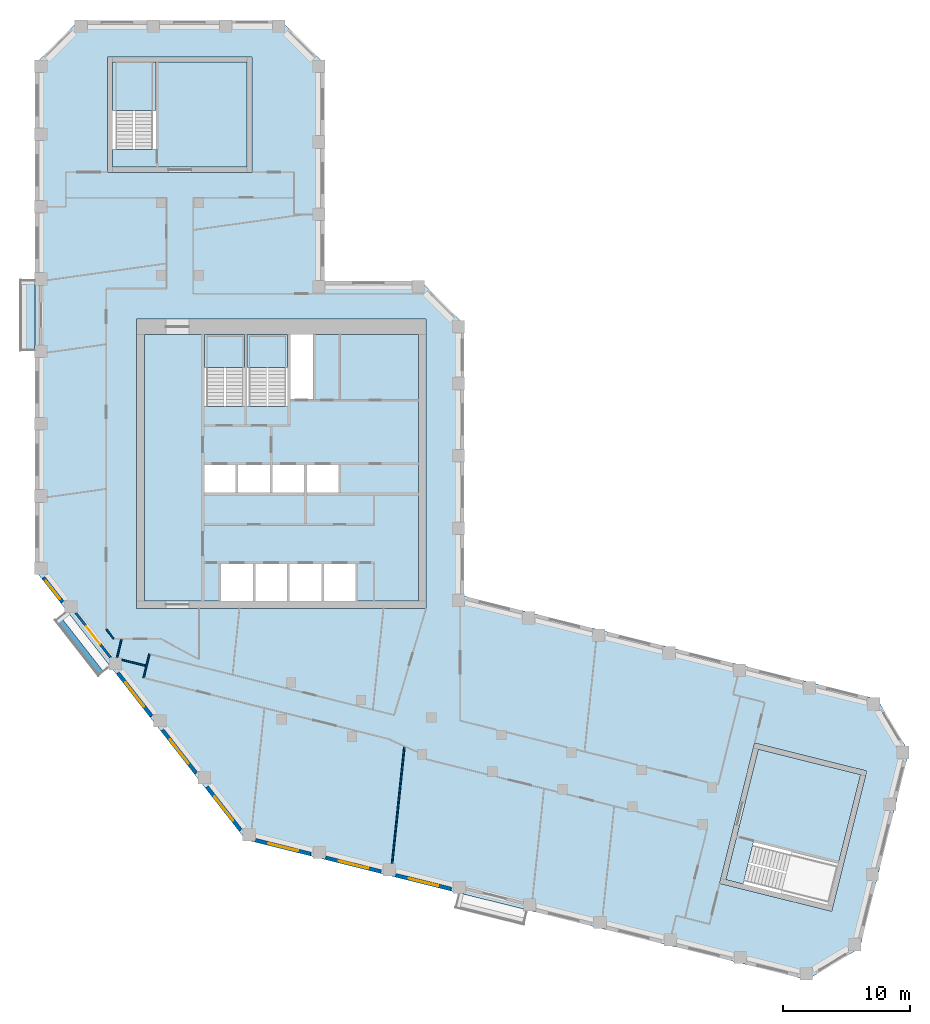
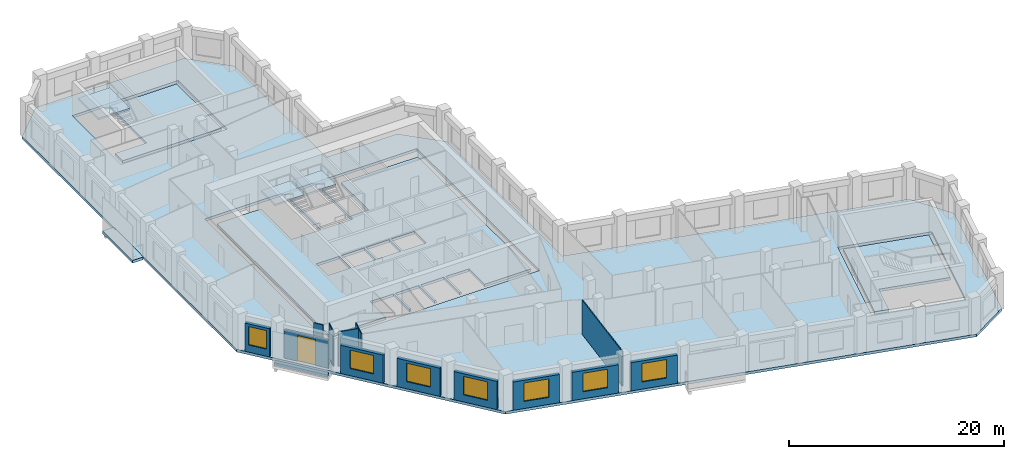
# One storey, part 2 of 9: 14 walls, 8 slabs, 7 windows, 1 door, 8 openings, 3 elements without a shape of their own.
"""IFC4 building model written with IfcOpenShell, lengths in metres."""

from ifc_helpers import new_model, si_unit, direction, frame, frame_2d, origin, place, context, subcontext, project, spatial, polyline, rectangle, outline, extrude, material, layer, layer_set, type_object, element, fill, aggregate, save


model = new_model("IFC4")

# Units and contexts
model_context = context("Model", 3, precision=1e-05, world=origin(), true_north=direction((0.0, 1.0)))
body_context = subcontext(model_context, "Body", "Model", "MODEL_VIEW")
ifc_project = project(units=[si_unit("LENGTHUNIT", "METRE"), si_unit("AREAUNIT", "SQUARE_METRE"), si_unit("VOLUMEUNIT", "CUBIC_METRE"), si_unit("PLANEANGLEUNIT", "RADIAN"), si_unit("MASSUNIT", "GRAM", prefix="KILO")], contexts=[model_context])

# Site, building, storey
site_placement = place(None, origin())
site = spatial("IfcSite", under=ifc_project, at=site_placement, CompositionType="ELEMENT")
building_placement = place(site_placement, origin())
building = spatial("IfcBuilding", under=site, at=building_placement, Name="Meshkara Civic Tower", CompositionType="ELEMENT")
storey_placement = place(building_placement, frame((0.0, 0.0, 315.0)))
storey = spatial("IfcBuildingStorey", under=building, at=storey_placement, Name="L72", CompositionType="ELEMENT", Elevation=315.0)

# Slabs
ifc_material_1 = material(Name="Concrete C40", Category="concrete")
ifc_layer_1 = layer(ifc_material_1, 0.300048828125)
ifc_layer_set_1 = layer_set([ifc_layer_1], Name="BALCONY SLAB")
slab_type_1 = type_object("IfcSlabType", Name="BALCONY SLAB", PredefinedType="FLOOR", material=ifc_layer_set_1)
slab_1_placement = place(storey_placement, frame((0.0, 0.0, -0.300048828125)))
element("IfcSlab", 1, at=slab_1_placement, inside=storey, type_object=slab_type_1, Name="Balcony slab", PredefinedType="FLOOR", context=body_context, shape_type="SweptSolid", body=[
    extrude(outline(polyline([(-1.199951171875, 34.4150390625), (-1.199951171875, 39.9951171875), (-0.050048828125, 39.9951171875), (-0.050048828125, 39.554931640625), (0.0, 39.554931640625), (0.0, 34.85498046875), (-0.050048828125, 34.85498046875), (-0.050048828125, 34.4150390625), (-1.199951171875, 34.4150390625)])), origin(), (0.0, 0.0, 1.0), 0.300048828125),
])
ifc_material_2 = material(Name="Concrete C40/50", Category="concrete")
ifc_layer_2 = layer(ifc_material_2, 0.300048828125)
ifc_layer_set_2 = layer_set([ifc_layer_2], Name="Core floor slab 300 C40/50")
slab_type_2 = type_object("IfcSlabType", Name="Core floor slab 300 C40/50", PredefinedType="FLOOR", material=ifc_layer_set_2)
slab_2_placement = place(storey_placement, frame((0.0, 0.0, -0.300048828125)))
element("IfcSlab", 2, at=slab_2_placement, inside=storey, type_object=slab_type_2, Name="Core floor K", PredefinedType="FLOOR", context=body_context, shape_type="SweptSolid", body=[
    extrude(outline(polyline([(8.60009765625, 35.699951171875), (13.35009765625, 35.699951171875), (13.35009765625, 30.00146484375), (16.5, 30.00146484375), (16.5, 35.699951171875), (16.699951171875, 35.699951171875), (16.699951171875, 30.00146484375), (19.89990234375, 30.00146484375), (19.89990234375, 35.699951171875), (20.10009765625, 35.699951171875), (20.10009765625, 30.574951171875), (21.925048828125, 30.574951171875), (21.925048828125, 35.699951171875), (30.199951171875, 35.699951171875), (30.199951171875, 14.699951171875), (25.25, 14.699951171875), (25.25, 17.60009765625), (22.75, 17.60009765625), (22.75, 14.699951171875), (22.550048828125, 14.699951171875), (22.550048828125, 17.60009765625), (20.050048828125, 17.60009765625), (20.050048828125, 14.699951171875), (19.85009765625, 14.699951171875), (19.85009765625, 17.60009765625), (17.35009765625, 17.60009765625), (17.35009765625, 14.699951171875), (17.14990234375, 14.699951171875), (17.14990234375, 17.60009765625), (14.64990234375, 17.60009765625), (14.64990234375, 14.699951171875), (8.60009765625, 14.699951171875), (8.60009765625, 35.699951171875)]), holes=[polyline([(13.35009765625, 23.25), (15.800048828125, 23.25), (15.800048828125, 25.39990234375), (13.35009765625, 25.39990234375), (13.35009765625, 23.25)]), polyline([(18.5, 23.25), (18.5, 25.39990234375), (16.0, 25.39990234375), (16.0, 23.25), (18.5, 23.25)]), polyline([(18.699951171875, 23.25), (21.199951171875, 23.25), (21.199951171875, 25.39990234375), (18.699951171875, 25.39990234375), (18.699951171875, 23.25)]), polyline([(21.39990234375, 23.25), (23.89990234375, 23.25), (23.89990234375, 25.39990234375), (21.39990234375, 25.39990234375), (21.39990234375, 23.25)])]), origin(), (0.0, 0.0, 1.0), 0.300048828125),
])
slab_3_placement = place(storey_placement, frame((0.0, 0.0, -0.300048828125)))
element("IfcSlab", 3, at=slab_3_placement, inside=storey, type_object=slab_type_2, Name="Core floor EA", PredefinedType="FLOOR", context=body_context, shape_type="SweptSolid", body=[
    extrude(outline(polyline([(16.699951171875, 48.8701171875), (16.699951171875, 57.169921875), (9.5, 57.169921875), (9.5, 50.271484375), (6.10009765625, 50.271484375), (6.10009765625, 48.8701171875), (16.699951171875, 48.8701171875)])), origin(), (0.0, 0.0, 1.0), 0.300048828125),
])
slab_4_placement = place(storey_placement, frame((0.0, 0.0, -0.300048828125)))
element("IfcSlab", 4, at=slab_4_placement, inside=storey, type_object=slab_type_2, Name="Core floor EB", PredefinedType="FLOOR", context=body_context, shape_type="SweptSolid", body=[
    extrude(outline(polyline([(56.989013671875, 3.002197265625), (65.04248046875, 0.994384765625), (63.30078125, -5.99169921875), (56.607177734375, -4.322998046875), (55.78466796875, -7.621826171875), (54.4248046875, -7.282958984375), (56.989013671875, 3.002197265625)])), origin(), (0.0, 0.0, 1.0), 0.300048828125),
])

# Stair, slab
ifc_material_3 = material(Name="Precast concrete C40/50", Category="concrete")
stair_type = type_object("IfcStairType", Name="Exit stair half-turn 24 risers precast", PredefinedType="HALF_TURN_STAIR", material=ifc_material_3)
stair_1_placement = place(storey_placement, origin())
stair_1 = element("IfcStair", 5, at=stair_1_placement, inside=storey, type_object=stair_type, Name="L72 exit stair 1", PredefinedType="HALF_TURN_STAIR")
ifc_material_4 = material(Name="Precast concrete C40/50", Category="concrete")
ifc_layer_3 = layer(ifc_material_4, 0.199951171875)
ifc_layer_set_3 = layer_set([ifc_layer_3], Name="Exit stair landing 200")
slab_type_3 = type_object("IfcSlabType", Name="Exit stair landing 200", PredefinedType="LANDING", material=ifc_layer_set_3)
slab_5_placement = place(storey_placement, frame((0.0, 0.0, 1.89990234375)))
slab_5 = element("IfcSlab", 6, at=slab_5_placement, type_object=slab_type_3, Name="ST1 landing 1", PredefinedType="LANDING", context=body_context, shape_type="SweptSolid", body=[
    extrude(outline(polyline([(16.5, 33.07861328125), (16.5, 35.699951171875), (13.35009765625, 35.699951171875), (13.35009765625, 33.07861328125), (16.5, 33.07861328125)])), origin(), (0.0, 0.0, 1.0), 0.2001953125),
])
aggregate(stair_1, [slab_5])

stair_2_placement = place(storey_placement, origin())
stair_2 = element("IfcStair", 7, at=stair_2_placement, inside=storey, type_object=stair_type, Name="L72 exit stair 2", PredefinedType="HALF_TURN_STAIR")
slab_6_placement = place(storey_placement, frame((0.0, 0.0, 1.89990234375)))
slab_6 = element("IfcSlab", 8, at=slab_6_placement, type_object=slab_type_3, Name="ST2 landing 1", PredefinedType="LANDING", context=body_context, shape_type="SweptSolid", body=[
    extrude(outline(polyline([(19.89990234375, 33.07861328125), (19.89990234375, 35.699951171875), (16.699951171875, 35.699951171875), (16.699951171875, 33.07861328125), (19.89990234375, 33.07861328125)])), origin(), (0.0, 0.0, 1.0), 0.2001953125),
])
aggregate(stair_2, [slab_6])

stair_3_placement = place(storey_placement, origin())
stair_3 = element("IfcStair", 9, at=stair_3_placement, inside=storey, type_object=stair_type, Name="L72 exit stair A from L65", PredefinedType="HALF_TURN_STAIR")
slab_7_placement = place(storey_placement, frame((0.0, 0.0, 1.89990234375)))
slab_7 = element("IfcSlab", 10, at=slab_7_placement, type_object=slab_type_3, Name="ESA5 landing 1", PredefinedType="LANDING", context=body_context, shape_type="SweptSolid", body=[
    extrude(outline(polyline([(9.5, 53.348388671875), (9.5, 57.169921875), (6.10009765625, 57.169921875), (6.10009765625, 53.348388671875), (9.5, 53.348388671875)])), origin(), (0.0, 0.0, 1.0), 0.2001953125),
])
aggregate(stair_3, [slab_7])

# Slab
ifc_material_5 = material(Name="Concrete C50", Category="concrete")
ifc_layer_4 = layer(ifc_material_5, 0.300048828125)
ifc_layer_set_4 = layer_set([ifc_layer_4], Name="Post-tensioned flat slab 300 C50")
slab_type_4 = type_object("IfcSlabType", Name="Post-tensioned flat slab 300 C50", PredefinedType="FLOOR", material=ifc_layer_set_4)
slab_8_placement = place(storey_placement, frame((0.0, 0.0, -0.300048828125)))
element("IfcSlab", 11, at=slab_8_placement, inside=storey, type_object=slab_type_4, Name="Post-tensioned flat slab L72", PredefinedType="FLOOR", context=body_context, shape_type="SweptSolid", body=[
    extrude(outline(polyline([(64.98291015625, -12.677001953125), (60.837890625, -15.1689453125), (16.592041015625, -4.136962890625), (0.0, 17.10009765625), (0.0, 57.0), (3.419921875, 60.419921875), (19.3798828125, 60.419921875), (22.800048828125, 57.0), (22.800048828125, 39.89990234375), (30.3798828125, 39.89990234375), (33.800048828125, 36.47998046875), (33.800048828125, 15.071044921875), (66.35302734375, 6.9541015625), (68.843994140625, 2.80810546875), (64.98291015625, -12.677001953125)]), holes=[polyline([(62.77001953125, -9.77587890625), (65.527099609375, 1.285888671875), (56.697998046875, 3.487060546875), (53.93994140625, -7.573974609375), (62.77001953125, -9.77587890625)]), polyline([(8.0, 14.10009765625), (30.800048828125, 14.10009765625), (30.800048828125, 36.89990234375), (8.0, 36.89990234375), (8.0, 14.10009765625)]), polyline([(5.699951171875, 57.570068359375), (5.699951171875, 48.469970703125), (17.10009765625, 48.469970703125), (17.10009765625, 57.570068359375), (5.699951171875, 57.570068359375)])]), origin(), (0.0, 0.0, 1.0), 0.300048828125),
])

# Walls
ifc_material_6 = material(Name="Corridor wall 100")
ifc_layer_5 = layer(ifc_material_6, 0.10009765625)
ifc_layer_set_5 = layer_set([ifc_layer_5], Name="Corridor wall 100")
wall_type_1 = type_object("IfcWallType", Name="Corridor wall 100", PredefinedType="PARTITIONING", material=ifc_layer_set_5)
wall_1_placement = place(storey_placement, frame((5.60009765625, 12.449951171875, 0.0), z_axis=(0.0, 0.0, 1.0), x_axis=(0.615644041972, -0.788024373725, 0.0)))
element("IfcWall", 12, at=wall_1_placement, inside=storey, type_object=wall_type_1, Name="L72-W004", PredefinedType="PARTITIONING", context=body_context, shape_type="SweptSolid", body=[
    extrude(rectangle(XDim=0.95166015625, YDim=0.10009765625, at=frame_2d((0.475830078125, 0.0))), origin(), (0.0, 0.0, 1.0), 3.89990234375),
])
wall_2_placement = place(storey_placement, frame((9.001953125, 10.4990234375, 0.0), z_axis=(0.0, 0.0, 1.0), x_axis=(-0.241940418317, -0.970291107856, 0.0)))
element("IfcWall", 13, at=wall_2_placement, inside=storey, type_object=wall_type_1, Name="L72-W009", PredefinedType="PARTITIONING", context=body_context, shape_type="SweptSolid", body=[
    extrude(rectangle(XDim=1.930419921875, YDim=0.10009765625, at=frame_2d((0.96533203125, 0.0))), origin(), (0.0, 0.0, 1.0), 3.89990234375),
])

# Wall, opening, window
ifc_material_7 = material(Name="Insulated infill panel with bronze anodised aluminium cladding", Category="aluminium")
ifc_layer_6 = layer(ifc_material_7, 0.300048828125)
ifc_layer_set_6 = layer_set([ifc_layer_6], Name="EXTERNAL INFILL WALL 300")
wall_type_2 = type_object("IfcWallType", Name="EXTERNAL INFILL WALL 300", PredefinedType="SOLIDWALL", material=ifc_layer_set_6)
wall_3_placement = place(storey_placement, frame((0.64599609375, 16.51708984375, 0.0), z_axis=(0.0, 0.0, 1.0), x_axis=(0.615610986717, -0.788050197026, 0.0)))
wall_3 = element("IfcWall", 14, at=wall_3_placement, inside=storey, type_object=wall_type_2, Name="External wall", PredefinedType="SOLIDWALL", context=body_context, shape_type="SweptSolid", body=[
    extrude(rectangle(XDim=2.4365234375, YDim=0.300048828125, at=frame_2d((1.21826171875, 0.0))), origin(), (0.0, 0.0, 1.0), 3.199951171875),
])
opening_1_placement = place(wall_3_placement, frame((0.318115234375, 0.0, 0.800048828125)))
opening_1 = element("IfcOpeningElement", 15, at=opening_1_placement, cuts=wall_3, Name="Opening W9", PredefinedType="OPENING", context=body_context, shape_type="SweptSolid", body=[
    extrude(rectangle(XDim=1.800048828125, YDim=2.10009765625, at=frame_2d((0.89990234375, 1.050048828125))), frame((0.0, 0.159912109375, 0.0), z_axis=(0.0, -1.0, 0.0), x_axis=(1.0, 0.0, 0.0)), (0.0, 0.0, 1.0), 0.320068359375),
])
ifc_material_8 = material(Name="Tinted double glazing", Category="glass")
window_type_1 = type_object("IfcWindowType", Name="WINDOW 1800x2100", PartitioningType="DOUBLE_PANEL_VERTICAL", PredefinedType="WINDOW", material=ifc_material_8)
window_1_placement = place(opening_1_placement, origin())
window_1 = element("IfcWindow", 16, at=window_1_placement, inside=storey, type_object=window_type_1, Name="Window", OverallHeight=2.10009765625, OverallWidth=1.800048828125, PartitioningType="DOUBLE_PANEL_VERTICAL", PredefinedType="WINDOW", context=body_context, shape_type="SweptSolid", body=[
    extrude(rectangle(XDim=1.800048828125, YDim=2.10009765625, at=frame_2d((0.89990234375, 1.050048828125))), frame((0.0, 0.030029296875, 0.0), z_axis=(0.0, -1.0, 0.0), x_axis=(1.0, 0.0, 0.0)), (0.0, 0.0, 1.0), 0.06005859375),
])
fill(opening_1, window_1)

wall_4_placement = place(storey_placement, frame((6.51904296875, 9.0, 0.0), z_axis=(0.0, 0.0, 1.0), x_axis=(0.615634121154, -0.788032124263, 0.0)))
wall_4 = element("IfcWall", 17, at=wall_4_placement, inside=storey, type_object=wall_type_2, Name="External wall", PredefinedType="SOLIDWALL", context=body_context, shape_type="SweptSolid", body=[
    extrude(rectangle(XDim=4.298095703125, YDim=0.300048828125, at=frame_2d((2.14892578125, 0.0))), origin(), (0.0, 0.0, 1.0), 3.199951171875),
])
opening_2_placement = place(wall_4_placement, frame((0.948974609375, 0.0, 0.800048828125)))
opening_2 = element("IfcOpeningElement", 18, at=opening_2_placement, cuts=wall_4, Name="Opening W7", PredefinedType="OPENING", context=body_context, shape_type="SweptSolid", body=[
    extrude(rectangle(XDim=2.39990234375, YDim=2.10009765625, at=frame_2d((1.199951171875, 1.050048828125))), frame((0.0, 0.159912109375, 0.0), z_axis=(0.0, -1.0, 0.0), x_axis=(1.0, 0.0, 0.0)), (0.0, 0.0, 1.0), 0.320068359375),
])
ifc_material_9 = material(Name="Tinted double glazing", Category="glass")
window_type_2 = type_object("IfcWindowType", Name="WINDOW 2400x2100", PartitioningType="DOUBLE_PANEL_VERTICAL", PredefinedType="WINDOW", material=ifc_material_9)
window_2_placement = place(opening_2_placement, origin())
window_2 = element("IfcWindow", 19, at=window_2_placement, inside=storey, type_object=window_type_2, Name="Window", OverallHeight=2.10009765625, OverallWidth=2.39990234375, PartitioningType="DOUBLE_PANEL_VERTICAL", PredefinedType="WINDOW", context=body_context, shape_type="SweptSolid", body=[
    extrude(rectangle(XDim=2.39990234375, YDim=2.10009765625, at=frame_2d((1.199951171875, 1.050048828125))), frame((0.0, 0.030029296875, 0.0), z_axis=(0.0, -1.0, 0.0), x_axis=(1.0, 0.0, 0.0)), (0.0, 0.0, 1.0), 0.06005859375),
])
fill(opening_2, window_2)

wall_5_placement = place(storey_placement, frame((10.029052734375, 4.507080078125, 0.0), z_axis=(0.0, 0.0, 1.0), x_axis=(0.615572343689, -0.788080382756, 0.0)))
wall_5 = element("IfcWall", 20, at=wall_5_placement, inside=storey, type_object=wall_type_2, Name="External wall", PredefinedType="SOLIDWALL", context=body_context, shape_type="SweptSolid", body=[
    extrude(rectangle(XDim=4.295166015625, YDim=0.300048828125, at=frame_2d((2.1474609375, 0.0))), origin(), (0.0, 0.0, 1.0), 3.199951171875),
])
opening_3_placement = place(wall_5_placement, frame((0.947998046875, 0.0, 0.800048828125)))
opening_3 = element("IfcOpeningElement", 21, at=opening_3_placement, cuts=wall_5, Name="Opening W7", PredefinedType="OPENING", context=body_context, shape_type="SweptSolid", body=[
    extrude(rectangle(XDim=2.39990234375, YDim=2.10009765625, at=frame_2d((1.199951171875, 1.050048828125))), frame((0.0, 0.159912109375, 0.0), z_axis=(0.0, -1.0, 0.0), x_axis=(1.0, 0.0, 0.0)), (0.0, 0.0, 1.0), 0.320068359375),
])
window_3_placement = place(opening_3_placement, origin())
window_3 = element("IfcWindow", 22, at=window_3_placement, inside=storey, type_object=window_type_2, Name="Window", OverallHeight=2.10009765625, OverallWidth=2.39990234375, PartitioningType="DOUBLE_PANEL_VERTICAL", PredefinedType="WINDOW", context=body_context, shape_type="SweptSolid", body=[
    extrude(rectangle(XDim=2.39990234375, YDim=2.10009765625, at=frame_2d((1.199951171875, 1.050048828125))), frame((0.0, 0.030029296875, 0.0), z_axis=(0.0, -1.0, 0.0), x_axis=(1.0, 0.0, 0.0)), (0.0, 0.0, 1.0), 0.06005859375),
])
fill(opening_3, window_3)

wall_6_placement = place(storey_placement, frame((13.5380859375, 0.01611328125, 0.0), z_axis=(0.0, 0.0, 1.0), x_axis=(0.615713519567, -0.787970089421, 0.0)))
wall_6 = element("IfcWall", 23, at=wall_6_placement, inside=storey, type_object=wall_type_2, Name="External wall", PredefinedType="SOLIDWALL", context=body_context, shape_type="SweptSolid", body=[
    extrude(rectangle(XDim=4.2958984375, YDim=0.300048828125, at=frame_2d((2.14794921875, 0.0))), origin(), (0.0, 0.0, 1.0), 3.199951171875),
])
opening_4_placement = place(wall_6_placement, frame((0.947998046875, 0.0, 0.800048828125)))
opening_4 = element("IfcOpeningElement", 24, at=opening_4_placement, cuts=wall_6, Name="Opening W7", PredefinedType="OPENING", context=body_context, shape_type="SweptSolid", body=[
    extrude(rectangle(XDim=2.39990234375, YDim=2.10009765625, at=frame_2d((1.199951171875, 1.050048828125))), frame((0.0, 0.159912109375, 0.0), z_axis=(0.0, -1.0, 0.0), x_axis=(1.0, 0.0, 0.0)), (0.0, 0.0, 1.0), 0.320068359375),
])
window_4_placement = place(opening_4_placement, origin())
window_4 = element("IfcWindow", 25, at=window_4_placement, inside=storey, type_object=window_type_2, Name="Window", OverallHeight=2.10009765625, OverallWidth=2.39990234375, PartitioningType="DOUBLE_PANEL_VERTICAL", PredefinedType="WINDOW", context=body_context, shape_type="SweptSolid", body=[
    extrude(rectangle(XDim=2.39990234375, YDim=2.10009765625, at=frame_2d((1.199951171875, 1.050048828125))), frame((0.0, 0.030029296875, 0.0), z_axis=(0.0, -1.0, 0.0), x_axis=(1.0, 0.0, 0.0)), (0.0, 0.0, 1.0), 0.06005859375),
])
fill(opening_4, window_4)

wall_7_placement = place(storey_placement, frame((17.366943359375, -4.176025390625, 0.0), z_axis=(0.0, 0.0, 1.0), x_axis=(0.970327846266, -0.241793032904, 0.0)))
wall_7 = element("IfcWall", 26, at=wall_7_placement, inside=storey, type_object=wall_type_2, Name="External wall", PredefinedType="SOLIDWALL", context=body_context, shape_type="SweptSolid", body=[
    extrude(rectangle(XDim=4.487060546875, YDim=0.300048828125, at=frame_2d((2.24365234375, 0.0))), origin(), (0.0, 0.0, 1.0), 3.199951171875),
])
opening_5_placement = place(wall_7_placement, frame((1.0439453125, 0.0, 0.800048828125)))
opening_5 = element("IfcOpeningElement", 27, at=opening_5_placement, cuts=wall_7, Name="Opening W7", PredefinedType="OPENING", context=body_context, shape_type="SweptSolid", body=[
    extrude(rectangle(XDim=2.39990234375, YDim=2.10009765625, at=frame_2d((1.199951171875, 1.050048828125))), frame((0.0, 0.159912109375, 0.0), z_axis=(0.0, -1.0, 0.0), x_axis=(1.0, 0.0, 0.0)), (0.0, 0.0, 1.0), 0.320068359375),
])
window_5_placement = place(opening_5_placement, origin())
window_5 = element("IfcWindow", 28, at=window_5_placement, inside=storey, type_object=window_type_2, Name="Window", OverallHeight=2.10009765625, OverallWidth=2.39990234375, PartitioningType="DOUBLE_PANEL_VERTICAL", PredefinedType="WINDOW", context=body_context, shape_type="SweptSolid", body=[
    extrude(rectangle(XDim=2.39990234375, YDim=2.10009765625, at=frame_2d((1.199951171875, 1.050048828125))), frame((0.0, 0.030029296875, 0.0), z_axis=(0.0, -1.0, 0.0), x_axis=(1.0, 0.0, 0.0)), (0.0, 0.0, 1.0), 0.06005859375),
])
fill(opening_5, window_5)

wall_8_placement = place(storey_placement, frame((22.89794921875, -5.554931640625, 0.0), z_axis=(0.0, 0.0, 1.0), x_axis=(0.970315118421, -0.24184410467, 0.0)))
wall_8 = element("IfcWall", 29, at=wall_8_placement, inside=storey, type_object=wall_type_2, Name="External wall", PredefinedType="SOLIDWALL", context=body_context, shape_type="SweptSolid", body=[
    extrude(rectangle(XDim=4.486083984375, YDim=0.300048828125, at=frame_2d((2.2431640625, 0.0))), origin(), (0.0, 0.0, 1.0), 3.199951171875),
])
opening_6_placement = place(wall_8_placement, frame((1.0439453125, 0.0, 0.800048828125)))
opening_6 = element("IfcOpeningElement", 30, at=opening_6_placement, cuts=wall_8, Name="Opening W7", PredefinedType="OPENING", context=body_context, shape_type="SweptSolid", body=[
    extrude(rectangle(XDim=2.39990234375, YDim=2.10009765625, at=frame_2d((1.199951171875, 1.050048828125))), frame((0.0, 0.159912109375, 0.0), z_axis=(0.0, -1.0, 0.0), x_axis=(1.0, 0.0, 0.0)), (0.0, 0.0, 1.0), 0.320068359375),
])
window_6_placement = place(opening_6_placement, origin())
window_6 = element("IfcWindow", 31, at=window_6_placement, inside=storey, type_object=window_type_2, Name="Window", OverallHeight=2.10009765625, OverallWidth=2.39990234375, PartitioningType="DOUBLE_PANEL_VERTICAL", PredefinedType="WINDOW", context=body_context, shape_type="SweptSolid", body=[
    extrude(rectangle(XDim=2.39990234375, YDim=2.10009765625, at=frame_2d((1.199951171875, 1.050048828125))), frame((0.0, 0.030029296875, 0.0), z_axis=(0.0, -1.0, 0.0), x_axis=(1.0, 0.0, 0.0)), (0.0, 0.0, 1.0), 0.06005859375),
])
fill(opening_6, window_6)

wall_9_placement = place(storey_placement, frame((28.427978515625, -6.93310546875, 0.0), z_axis=(0.0, 0.0, 1.0), x_axis=(0.970276766004, -0.241997928406, 0.0)))
wall_9 = element("IfcWall", 32, at=wall_9_placement, inside=storey, type_object=wall_type_2, Name="External wall", PredefinedType="SOLIDWALL", context=body_context, shape_type="SweptSolid", body=[
    extrude(rectangle(XDim=4.4873046875, YDim=0.300048828125, at=frame_2d((2.24365234375, 0.0))), origin(), (0.0, 0.0, 1.0), 3.199951171875),
])
opening_7_placement = place(wall_9_placement, frame((1.0439453125, 0.0, 0.800048828125)))
opening_7 = element("IfcOpeningElement", 33, at=opening_7_placement, cuts=wall_9, Name="Opening W7", PredefinedType="OPENING", context=body_context, shape_type="SweptSolid", body=[
    extrude(rectangle(XDim=2.39990234375, YDim=2.10009765625, at=frame_2d((1.199951171875, 1.050048828125))), frame((0.0, 0.159912109375, 0.0), z_axis=(0.0, -1.0, 0.0), x_axis=(1.0, 0.0, 0.0)), (0.0, 0.0, 1.0), 0.320068359375),
])
window_7_placement = place(opening_7_placement, origin())
window_7 = element("IfcWindow", 34, at=window_7_placement, inside=storey, type_object=window_type_2, Name="Window", OverallHeight=2.10009765625, OverallWidth=2.39990234375, PartitioningType="DOUBLE_PANEL_VERTICAL", PredefinedType="WINDOW", context=body_context, shape_type="SweptSolid", body=[
    extrude(rectangle(XDim=2.39990234375, YDim=2.10009765625, at=frame_2d((1.199951171875, 1.050048828125))), frame((0.0, 0.030029296875, 0.0), z_axis=(0.0, -1.0, 0.0), x_axis=(1.0, 0.0, 0.0)), (0.0, 0.0, 1.0), 0.06005859375),
])
fill(opening_7, window_7)

# Wall, opening, door
ifc_material_10 = material(Name="Insulated infill panel with bronze anodised aluminium cladding", Category="aluminium")
ifc_layer_7 = layer(ifc_material_10, 0.199951171875)
ifc_layer_set_7 = layer_set([ifc_layer_7], Name="LOGGIA BACK WALL 200")
wall_type_3 = type_object("IfcWallType", Name="LOGGIA BACK WALL 200", PredefinedType="SOLIDWALL", material=ifc_layer_set_7)
wall_10_placement = place(storey_placement, frame((3.205078125, 13.72900390625, 0.0), z_axis=(0.0, 0.0, 1.0), x_axis=(0.615636557784, -0.788030220689, 0.0)))
wall_10 = element("IfcWall", 35, at=wall_10_placement, inside=storey, type_object=wall_type_3, Name="Loggia wall", PredefinedType="SOLIDWALL", context=body_context, shape_type="SweptSolid", body=[
    extrude(rectangle(XDim=4.43115234375, YDim=0.199951171875, at=frame_2d((2.215576171875, 0.0))), origin(), (0.0, 0.0, 1.0), 3.199951171875),
])
opening_8_placement = place(wall_10_placement, frame((1.31494140625, 0.0, 0.0)))
opening_8 = element("IfcOpeningElement", 36, at=opening_8_placement, cuts=wall_10, Name="Opening L72-L002", PredefinedType="OPENING", context=body_context, shape_type="SweptSolid", body=[
    extrude(rectangle(XDim=1.800048828125, YDim=2.89990234375, at=frame_2d((0.89990234375, 1.449951171875))), frame((0.0, 0.10986328125, 0.0), z_axis=(0.0, -1.0, 0.0), x_axis=(1.0, 0.0, 0.0)), (0.0, 0.0, 1.0), 0.219970703125),
])
ifc_material_11 = material(Name="Tinted double glazing", Category="glass")
door_type = type_object("IfcDoorType", Name="LOGGIA DOOR 1800x2900", OperationType="DOUBLE_DOOR_SINGLE_SWING", PredefinedType="DOOR", material=ifc_material_11)
door_placement = place(opening_8_placement, origin())
door = element("IfcDoor", 37, at=door_placement, inside=storey, type_object=door_type, Name="L72-L002", OperationType="DOUBLE_DOOR_SINGLE_SWING", OverallHeight=2.89990234375, OverallWidth=1.800048828125, PredefinedType="DOOR", context=body_context, shape_type="SweptSolid", body=[
    extrude(rectangle(XDim=1.800048828125, YDim=2.89990234375, at=frame_2d((0.89990234375, 1.449951171875))), frame((0.0, 0.02490234375, 0.0), z_axis=(0.0, -1.0, 0.0), x_axis=(1.0, 0.0, 0.0)), (0.0, 0.0, 1.0), 0.050048828125),
])
fill(opening_8, door)

# Walls
ifc_material_12 = material(Name="Concrete C40", Category="concrete")
ifc_layer_8 = layer(ifc_material_12, 0.39990234375)
ifc_layer_set_8 = layer_set([ifc_layer_8], Name="PLANTER TRAY")
wall_type_4 = type_object("IfcWallType", Name="PLANTER TRAY", PredefinedType="SOLIDWALL", material=ifc_layer_set_8)
wall_11_placement = place(storey_placement, frame((1.87109375, 13.27587890625, 0.0), z_axis=(0.0, 0.0, 1.0), x_axis=(0.615632551218, -0.788033350741, 0.0)))
element("IfcWall", 38, at=wall_11_placement, inside=storey, type_object=wall_type_4, Name="Planter", PredefinedType="SOLIDWALL", context=body_context, shape_type="SweptSolid", body=[
    extrude(rectangle(XDim=5.360107421875, YDim=0.39990234375, at=frame_2d((2.68017578125, 0.0))), origin(), (0.0, 0.0, 1.0), 0.300048828125),
])
ifc_material_13 = material(Name="Partition 100")
ifc_layer_9 = layer(ifc_material_13, 0.10009765625)
ifc_layer_set_9 = layer_set([ifc_layer_9], Name="Partition 100")
wall_type_5 = type_object("IfcWallType", Name="Partition 100", PredefinedType="PARTITIONING", material=ifc_layer_set_9)
wall_12_placement = place(storey_placement, frame((6.797119140625, 11.637939453125, 0.0), z_axis=(0.0, 0.0, 1.0), x_axis=(-0.242456058691, -0.970162388265, 0.0)))
element("IfcWall", 39, at=wall_12_placement, inside=storey, type_object=wall_type_5, Name="L72-W040", PredefinedType="PARTITIONING", context=body_context, shape_type="SweptSolid", body=[
    extrude(rectangle(XDim=1.44384765625, YDim=0.10009765625, at=frame_2d((0.721923828125, 0.0))), origin(), (0.0, 0.0, 1.0), 3.89990234375),
])
wall_13_placement = place(storey_placement, frame((8.719970703125, 9.574951171875, 0.0), z_axis=(0.0, 0.0, 1.0), x_axis=(-0.970274576003, 0.242006708918, 0.0)))
element("IfcWall", 40, at=wall_13_placement, inside=storey, type_object=wall_type_5, Name="L72-W041", PredefinedType="PARTITIONING", context=body_context, shape_type="SweptSolid", body=[
    extrude(rectangle(XDim=1.955078125, YDim=0.10009765625, at=frame_2d((0.9775390625, 0.0))), origin(), (0.0, 0.0, 1.0), 3.89990234375),
])
wall_14_placement = place(storey_placement, frame((28.126953125, -5.99609375, 0.0), z_axis=(0.0, 0.0, 1.0), x_axis=(0.104490376754, 0.994525897685, 0.0)))
element("IfcWall", 41, at=wall_14_placement, inside=storey, type_object=wall_type_5, Name="L72-W049", PredefinedType="PARTITIONING", context=body_context, shape_type="SweptSolid", body=[
    extrude(rectangle(XDim=9.217529296875, YDim=0.10009765625, at=frame_2d((4.60888671875, 0.0))), origin(), (0.0, 0.0, 1.0), 3.89990234375),
])

save(model, "model.ifc")
